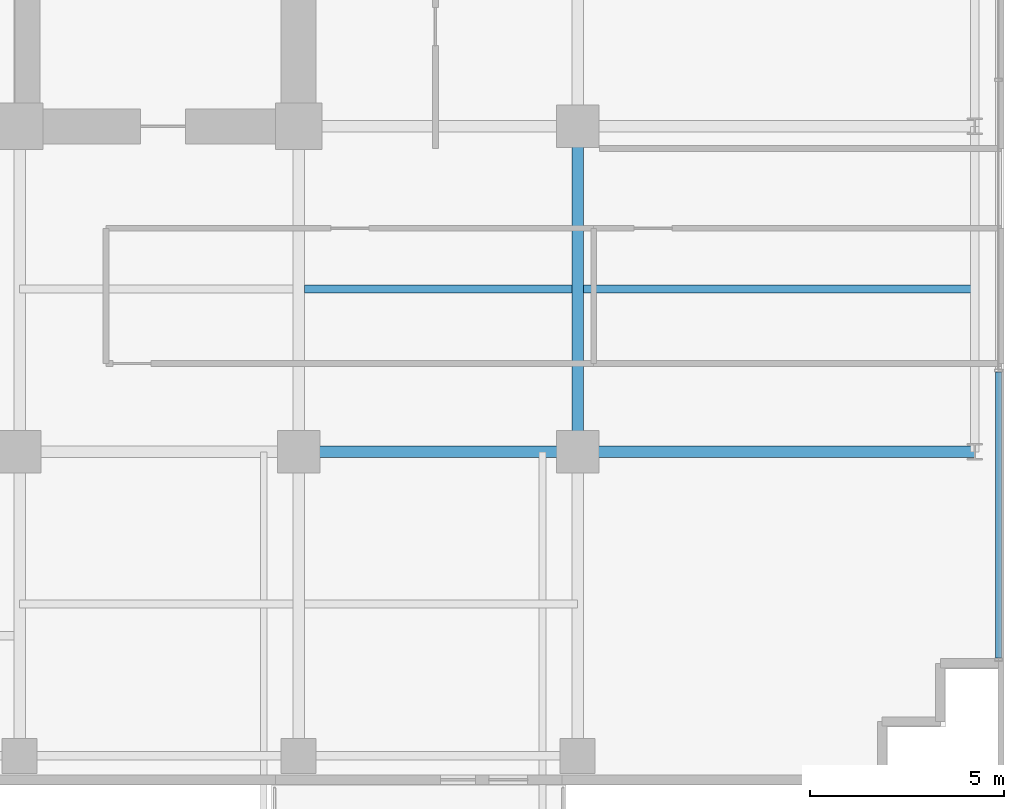
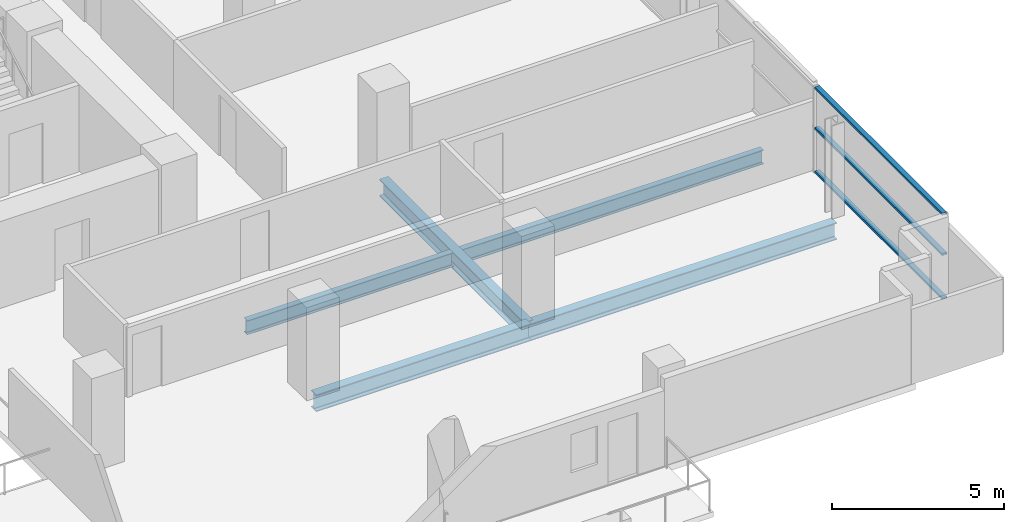
# One storey, part 12 of 31: 5 beams, 3 members, 1 element without a shape of its own.
"""IFC4 building model written with IfcOpenShell, lengths in metres."""

from ifc_helpers import new_model, si_unit, direction, frame, origin, origin_2d, place, context, subcontext, project, spatial, hollow_rectangle, i_section, extrude, source, transform, mapped, material, layer, layer_set, material_profile, profile_set, type_object, element, aggregate, save


model = new_model("IFC4")

# Units and contexts
model_context = context("Model", 3, precision=1e-05, world=origin(), true_north=direction((0.0, 1.0)))
body_context = subcontext(model_context, "Body", "Model", "MODEL_VIEW")
ifc_project = project(units=[si_unit("LENGTHUNIT", "METRE"), si_unit("AREAUNIT", "SQUARE_METRE"), si_unit("VOLUMEUNIT", "CUBIC_METRE"), si_unit("PLANEANGLEUNIT", "RADIAN"), si_unit("MASSUNIT", "GRAM", prefix="KILO")], contexts=[model_context])

# Site, building, storey
site_placement = place(None, origin())
site = spatial("IfcSite", under=ifc_project, at=site_placement, CompositionType="ELEMENT")
building_placement = place(site_placement, origin())
building = spatial("IfcBuilding", under=site, at=building_placement, Name="Zarnakvel Exchange Tower", CompositionType="ELEMENT")
storey_placement = place(building_placement, frame((0.0, 0.0, 67.0)))
storey = spatial("IfcBuildingStorey", under=building, at=storey_placement, Name="L18", CompositionType="ELEMENT", Elevation=67.0)

# Beams
ifc_material_1 = material(Name="Steel S355", Category="steel")
ifc_material_profile_1 = material_profile(ifc_material_1, i_section(OverallWidth=0.199951171875, OverallDepth=0.5, WebThickness=0.01025390625, FlangeThickness=0.01611328125, FilletRadius=0.02099609375, at=origin_2d()))
ifc_profile_set_1 = profile_set([ifc_material_profile_1], Name="Steel S355")
beam_type_1 = type_object("IfcBeamType", Name="B-04", PredefinedType="JOIST", material=ifc_profile_set_1)
beam_1_placement = place(storey_placement, frame((14.550048828125, -5.39990234375, -0.47509765625), z_axis=(1.0, 0.0, 0.0), x_axis=(0.0, 1.0, 0.0)))
element("IfcBeam", 1, at=beam_1_placement, inside=storey, type_object=beam_type_1, Name="L18 Composite Floor Secondary Joist", PredefinedType="JOIST", context=body_context, shape_type="SweptSolid", body=[
    extrude(i_section(OverallWidth=0.199951171875, OverallDepth=0.5, WebThickness=0.01025390625, FlangeThickness=0.01611328125, FilletRadius=0.02099609375, at=origin_2d()), origin(), (0.0, 0.0, 1.0), 6.89990234375),
])
beam_2_placement = place(storey_placement, frame((21.75, -5.39990234375, -0.47509765625), z_axis=(1.0, 0.0, 0.0), x_axis=(0.0, 1.0, 0.0)))
element("IfcBeam", 2, at=beam_2_placement, inside=storey, type_object=beam_type_1, Name="L18 Composite Floor Secondary Joist", PredefinedType="JOIST", context=body_context, shape_type="SweptSolid", body=[
    extrude(i_section(OverallWidth=0.199951171875, OverallDepth=0.5, WebThickness=0.01025390625, FlangeThickness=0.01611328125, FilletRadius=0.02099609375, at=origin_2d()), origin(), (0.0, 0.0, 1.0), 10.10009765625),
])
ifc_material_profile_2 = material_profile(ifc_material_1, i_section(OverallWidth=0.300048828125, OverallDepth=0.60009765625, WebThickness=0.015380859375, FlangeThickness=0.030029296875, FilletRadius=0.027099609375, at=origin_2d()))
ifc_profile_set_2 = profile_set([ifc_material_profile_2], Name="Steel S355")
beam_type_2 = type_object("IfcBeamType", Name="G-04", PredefinedType="BEAM", material=ifc_profile_set_2)
beam_3_placement = place(storey_placement, frame((14.39990234375, -9.60009765625, -0.52490234375), z_axis=(1.0, 0.0, 0.0), x_axis=(0.0, 1.0, 0.0)))
element("IfcBeam", 3, at=beam_3_placement, inside=storey, type_object=beam_type_2, Name="L18 Tower E-W Frame Beam", PredefinedType="BEAM", context=body_context, shape_type="SweptSolid", body=[
    extrude(i_section(OverallWidth=0.300048828125, OverallDepth=0.60009765625, WebThickness=0.015380859375, FlangeThickness=0.030029296875, FilletRadius=0.027099609375, at=origin_2d()), origin(), (0.0, 0.0, 1.0), 7.2001953125),
])
beam_4_placement = place(storey_placement, frame((21.60009765625, -9.60009765625, -0.52490234375), z_axis=(1.0, 0.0, 0.0), x_axis=(0.0, 1.0, 0.0)))
element("IfcBeam", 4, at=beam_4_placement, inside=storey, type_object=beam_type_2, Name="L18 Tower E-W Frame Beam", PredefinedType="BEAM", context=body_context, shape_type="SweptSolid", body=[
    extrude(i_section(OverallWidth=0.300048828125, OverallDepth=0.60009765625, WebThickness=0.015380859375, FlangeThickness=0.030029296875, FilletRadius=0.027099609375, at=origin_2d()), origin(), (0.0, 0.0, 1.0), 10.25),
])
beam_5_placement = place(storey_placement, frame((21.60009765625, -9.60009765625, -0.52490234375), z_axis=(0.0, 1.0, 0.0), x_axis=(-1.0, 0.0, 0.0)))
element("IfcBeam", 5, at=beam_5_placement, inside=storey, type_object=beam_type_2, Name="L18 Tower N-S Frame Beam", PredefinedType="BEAM", context=body_context, shape_type="SweptSolid", body=[
    extrude(i_section(OverallWidth=0.300048828125, OverallDepth=0.60009765625, WebThickness=0.015380859375, FlangeThickness=0.030029296875, FilletRadius=0.027099609375, at=origin_2d()), origin(), (0.0, 0.0, 1.0), 8.400146484375),
])

# Curtain wall, members
ifc_material_2 = material(Name="Architectural Bronze Anodised Aluminium", Category="aluminium")
ifc_layer = layer(ifc_material_2, 0.199951171875)
ifc_layer_set = layer_set([ifc_layer], Name="Architectural Bronze Anodised Aluminium")
curtain_wall_type = type_object("IfcCurtainWallType", Name="CW-04", PredefinedType="NOTDEFINED", material=ifc_layer_set)
curtain_wall_placement = place(storey_placement, origin())
curtain_wall = element("IfcCurtainWall", 6, at=curtain_wall_placement, inside=storey, type_object=curtain_wall_type, Name="L18 Curtain Wall CW-L18-E1 (CW-04)", PredefinedType="NOTDEFINED")
ifc_material_profile_3 = material_profile(ifc_material_2, hollow_rectangle(XDim=0.159912109375, YDim=0.074951171875, WallThickness=0.00390625, at=origin_2d()))
ifc_profile_set_3 = profile_set([ifc_material_profile_3], Name="Architectural Bronze Anodised Aluminium")
member_type = type_object("IfcMemberType", Name="CWT-04", PredefinedType="USERDEFINED", material=ifc_profile_set_3)
shared_shape = source(origin(), body_context, "Body", "SweptSolid", [
    extrude(hollow_rectangle(XDim=0.159912109375, YDim=0.074951171875, WallThickness=0.00390625, at=origin_2d()), origin(), (0.0, 0.0, 1.0), 7.387451171875),
])
member_1_placement = place(storey_placement, frame((32.4599609375, -14.925048828125, 0.03759765625), z_axis=(0.0, 1.0, 0.0), x_axis=(-1.0, 0.0, 0.0)))
member_1 = element("IfcMember", 7, at=member_1_placement, type_object=member_type, Name="CW-04 transom 1.1", ObjectType="TRANSOM", PredefinedType="USERDEFINED", context=body_context, shape_type="MappedRepresentation", body=[
    mapped(shared_shape, transform((0.0, 0.0, 0.0), x_axis=(1.0, 0.0, 0.0), y_axis=(0.0, 1.0, 0.0), z_axis=(0.0, 0.0, 1.0), scale=1.0)),
])
member_2_placement = place(storey_placement, frame((32.4599609375, -14.925048828125, 1.588623046875), z_axis=(0.0, 1.0, 0.0), x_axis=(-1.0, 0.0, 0.0)))
member_2 = element("IfcMember", 8, at=member_2_placement, type_object=member_type, Name="CW-04 transom 1.2", ObjectType="TRANSOM", PredefinedType="USERDEFINED", context=body_context, shape_type="MappedRepresentation", body=[
    mapped(shared_shape, transform((0.0, 0.0, 0.0), x_axis=(1.0, 0.0, 0.0), y_axis=(0.0, 1.0, 0.0), z_axis=(0.0, 0.0, 1.0), scale=1.0)),
])
member_3_placement = place(storey_placement, frame((32.4599609375, -14.925048828125, 3.017578125), z_axis=(0.0, 1.0, 0.0), x_axis=(-1.0, 0.0, 0.0)))
member_3 = element("IfcMember", 9, at=member_3_placement, type_object=member_type, Name="CW-04 transom 1.3", ObjectType="TRANSOM", PredefinedType="USERDEFINED", context=body_context, shape_type="MappedRepresentation", body=[
    mapped(shared_shape, transform((0.0, 0.0, 0.0), x_axis=(1.0, 0.0, 0.0), y_axis=(0.0, 1.0, 0.0), z_axis=(0.0, 0.0, 1.0), scale=1.0)),
])
aggregate(curtain_wall, [member_1, member_2, member_3])

save(model, "model.ifc")
